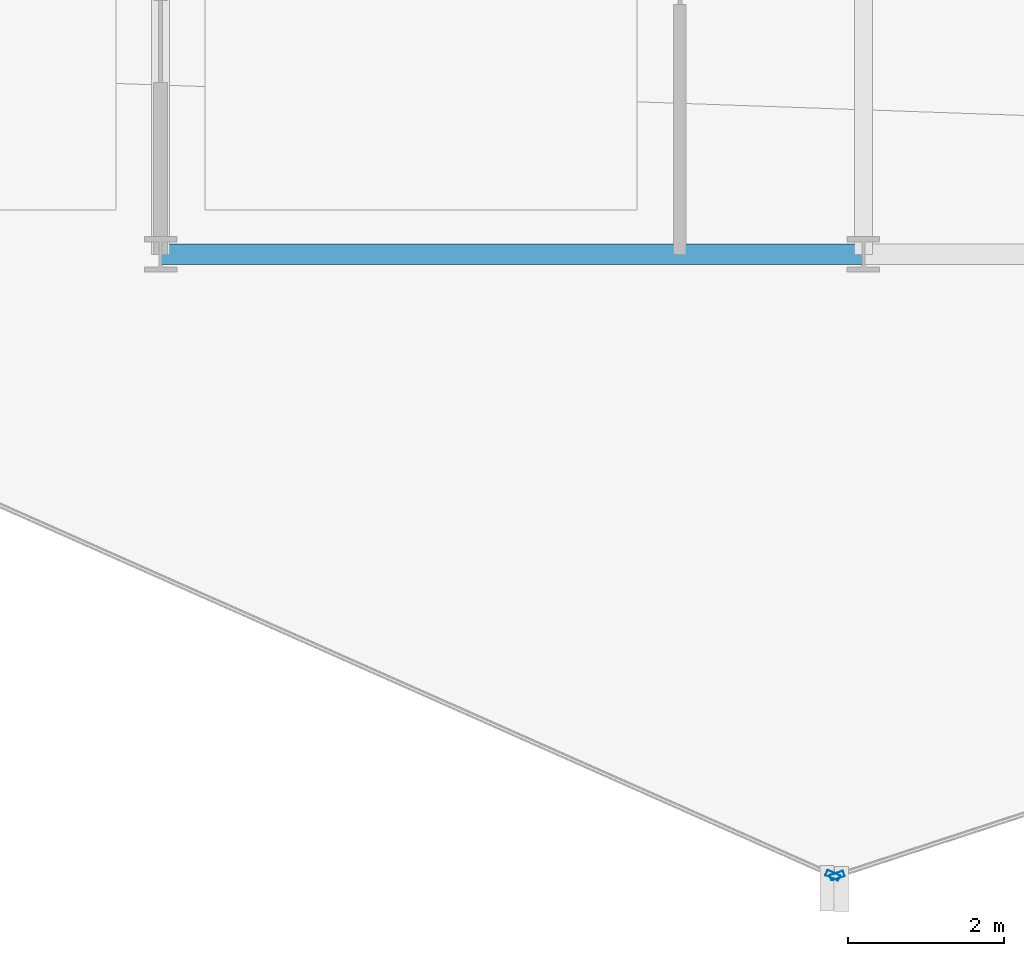
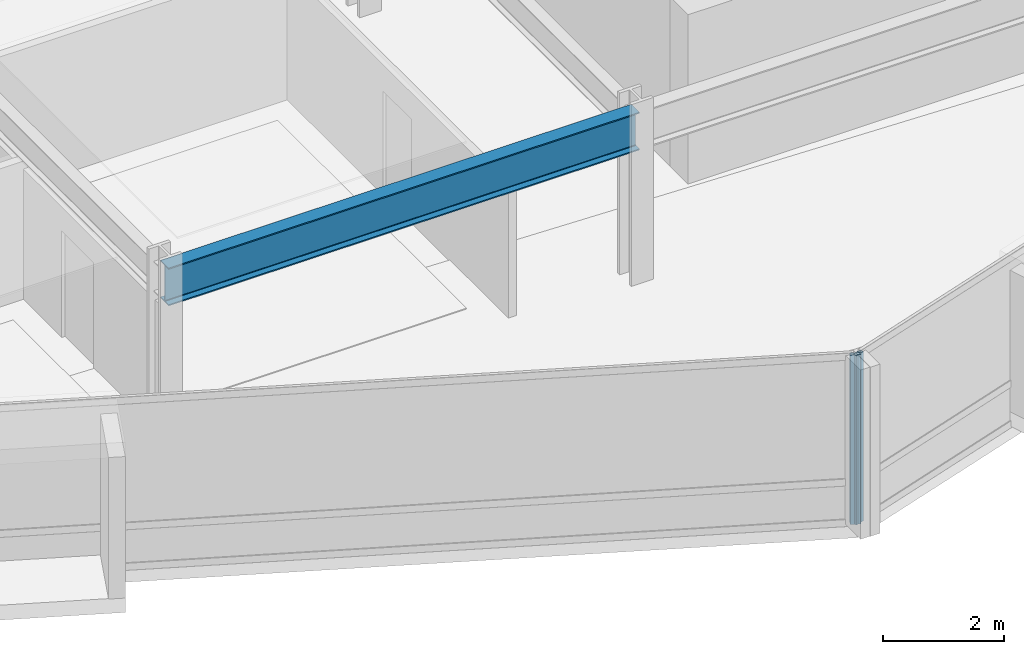
# One storey, part 4 of 28: 2 members, 1 beam, 2 elements without a shape of their own.
"""IFC4 building model written with IfcOpenShell, lengths in metres."""

from ifc_helpers import new_model, si_unit, direction, frame, origin, origin_2d, place, context, subcontext, project, spatial, hollow_rectangle, i_section, extrude, material, layer, layer_set, material_profile, profile_set, type_object, element, aggregate, save


model = new_model("IFC4")

# Units and contexts
model_context = context("Model", 3, precision=1e-05, world=origin(), true_north=direction((0.0, 1.0)))
body_context = subcontext(model_context, "Body", "Model", "MODEL_VIEW")
ifc_project = project(units=[si_unit("LENGTHUNIT", "METRE"), si_unit("AREAUNIT", "SQUARE_METRE"), si_unit("VOLUMEUNIT", "CUBIC_METRE"), si_unit("PLANEANGLEUNIT", "RADIAN"), si_unit("MASSUNIT", "GRAM", prefix="KILO")], contexts=[model_context])

# Site, building, storey
site_placement = place(None, origin())
site = spatial("IfcSite", under=ifc_project, at=site_placement, CompositionType="ELEMENT")
building_placement = place(site_placement, origin())
building = spatial("IfcBuilding", under=site, at=building_placement, Name="Solvaryn Broadcast Tower", CompositionType="ELEMENT")
storey_placement = place(building_placement, frame((0.0, 0.0, 110.0)))
storey = spatial("IfcBuildingStorey", under=building, at=storey_placement, Name="L26", CompositionType="ELEMENT", Elevation=110.0)

# Beam
ifc_material_1 = material(Name="Steel ASTM A992 Grade 50", Category="steel")
ifc_material_profile_1 = material_profile(ifc_material_1, i_section(OverallWidth=0.26708984375, OverallDepth=0.76611328125, WebThickness=0.014892578125, FlangeThickness=0.023681640625, FilletRadius=0.01806640625, at=origin_2d()))
ifc_profile_set_1 = profile_set([ifc_material_profile_1], Name="Steel ASTM A992 Grade 50")
beam_type = type_object("IfcBeamType", Name="BM-SP2-W30X124", PredefinedType="USERDEFINED", material=ifc_profile_set_1)
beam_placement = place(storey_placement, frame((18.0, 9.0, 3.037109375), z_axis=(1.0, 0.0, 0.0), x_axis=(0.0, 1.0, 0.0)))
element("IfcBeam", 1, at=beam_placement, inside=storey, type_object=beam_type, Name="L26 Spandrel Beam X (18-27 @ Y=9)", ObjectType="SPANDREL", PredefinedType="USERDEFINED", context=body_context, shape_type="SweptSolid", body=[
    extrude(i_section(OverallWidth=0.26708984375, OverallDepth=0.76611328125, WebThickness=0.014892578125, FlangeThickness=0.023681640625, FilletRadius=0.01806640625, at=origin_2d()), origin(), (0.0, 0.0, 1.0), 9.0),
])

# Curtain wall, member
ifc_material_2 = material(Name="Aluminium and Terracotta Unitised Curtain Wall", Category="masonry")
ifc_layer = layer(ifc_material_2, 0.199951171875)
ifc_layer_set = layer_set([ifc_layer], Name="CW-SYS2-LOWMID")
curtain_wall_type = type_object("IfcCurtainWallType", Name="CW-SYS2-LOWMID", PredefinedType="NOTDEFINED", material=ifc_layer_set)
curtain_wall_1_placement = place(storey_placement, origin())
curtain_wall_1 = element("IfcCurtainWall", 2, at=curtain_wall_1_placement, inside=storey, type_object=curtain_wall_type, Name="L26 Curtain Wall DR3", PredefinedType="NOTDEFINED")
ifc_material_3 = material(Name="Anodised Aluminium 6063-T6", Category="aluminium")
ifc_material_profile_2 = material_profile(ifc_material_3, hollow_rectangle(XDim=0.074951171875, YDim=0.179931640625, WallThickness=0.00390625, InnerFilletRadius=0.00390625, OuterFilletRadius=0.008056640625, at=origin_2d()))
ifc_profile_set_2 = profile_set([ifc_material_profile_2], Name="Anodised Aluminium 6063-T6")
member_type = type_object("IfcMemberType", Name="CW-MUL-180", PredefinedType="MULLION", material=ifc_profile_set_2)
member_1_placement = place(storey_placement, frame((26.608642578125, 1.046142578125, 0.0), z_axis=(0.0, 0.0, 1.0), x_axis=(0.405918429309, 0.913909311008, 0.0)))
member_1 = element("IfcMember", 3, at=member_1_placement, type_object=member_type, Name="CWS2 mullion 2", PredefinedType="MULLION", context=body_context, shape_type="SweptSolid", body=[
    extrude(hollow_rectangle(XDim=0.074951171875, YDim=0.179931640625, WallThickness=0.00390625, InnerFilletRadius=0.00390625, OuterFilletRadius=0.008056640625, at=origin_2d()), origin(), (0.0, 0.0, 1.0), 3.419921875),
])
aggregate(curtain_wall_1, [member_1])

curtain_wall_2_placement = place(storey_placement, origin())
curtain_wall_2 = element("IfcCurtainWall", 4, at=curtain_wall_2_placement, inside=storey, type_object=curtain_wall_type, Name="L26 Curtain Wall DR4", PredefinedType="NOTDEFINED")
member_2_placement = place(storey_placement, frame((26.66455078125, 1.04345703125, 0.0), z_axis=(0.0, 0.0, 1.0), x_axis=(-0.311646057547, 0.950198260794, 0.0)))
member_2 = element("IfcMember", 5, at=member_2_placement, type_object=member_type, Name="CWS2 mullion 1", PredefinedType="MULLION", context=body_context, shape_type="SweptSolid", body=[
    extrude(hollow_rectangle(XDim=0.074951171875, YDim=0.179931640625, WallThickness=0.00390625, InnerFilletRadius=0.00390625, OuterFilletRadius=0.008056640625, at=origin_2d()), origin(), (0.0, 0.0, 1.0), 3.419921875),
])
aggregate(curtain_wall_2, [member_2])

save(model, "model.ifc")
